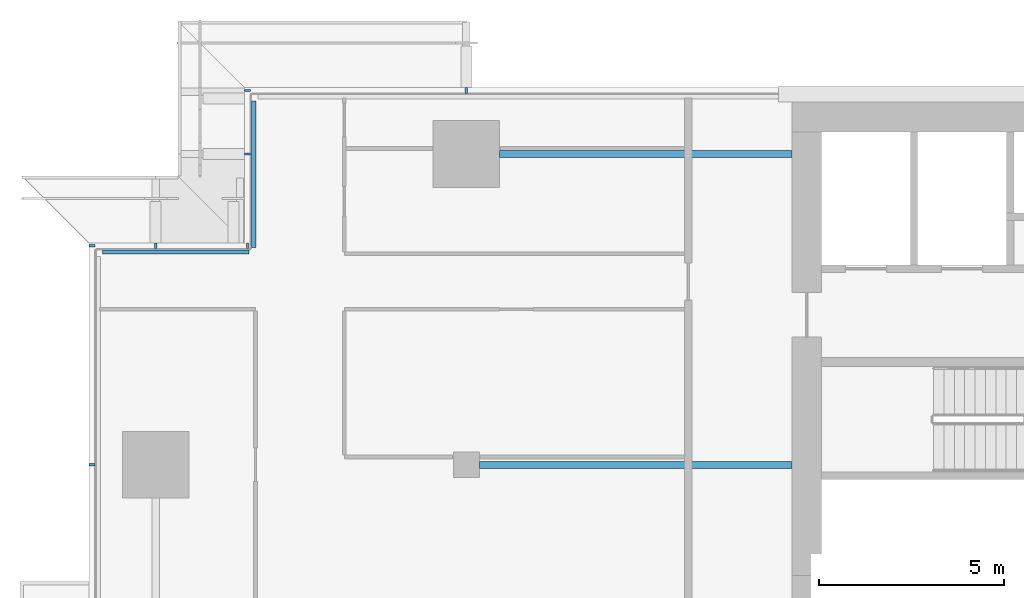
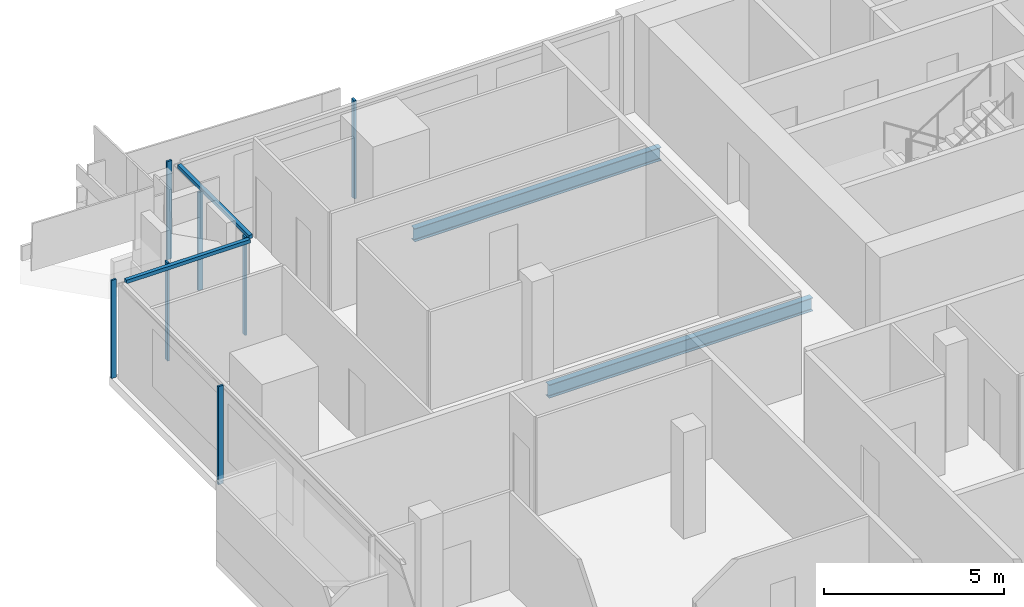
# One storey, part 8 of 30: 9 members, 2 beams, 4 elements without a shape of their own.
"""IFC4 building model written with IfcOpenShell, lengths in metres."""

from ifc_helpers import new_model, si_unit, direction, frame, origin, origin_2d, place, context, subcontext, project, spatial, rectangle, i_section, extrude, material, material_profile, profile_set, type_object, element, aggregate, save


model = new_model("IFC4")

# Units and contexts
model_context = context("Model", 3, precision=1e-05, world=origin(), true_north=direction((0.0, 1.0)))
body_context = subcontext(model_context, "Body", "Model", "MODEL_VIEW")
ifc_project = project(units=[si_unit("LENGTHUNIT", "METRE"), si_unit("AREAUNIT", "SQUARE_METRE"), si_unit("VOLUMEUNIT", "CUBIC_METRE"), si_unit("PLANEANGLEUNIT", "RADIAN"), si_unit("MASSUNIT", "GRAM", prefix="KILO")], contexts=[model_context])

# Site, building, storey
site_placement = place(None, origin())
site = spatial("IfcSite", under=ifc_project, at=site_placement, CompositionType="ELEMENT")
building_placement = place(site_placement, origin())
building = spatial("IfcBuilding", under=site, at=building_placement, Name="Saffron Gate Tower", CompositionType="ELEMENT")
storey_placement = place(building_placement, frame((0.0, 0.0, 158.25)))
storey = spatial("IfcBuildingStorey", under=building, at=storey_placement, Name="L38", CompositionType="ELEMENT", Elevation=158.25)

# Beams
ifc_material_1 = material(Name="Structural steel S355", Category="steel")
ifc_material_profile_1 = material_profile(ifc_material_1, i_section(OverallWidth=0.18994140625, OverallDepth=0.449951171875, WebThickness=0.009521484375, FlangeThickness=0.0146484375, FilletRadius=0.02099609375, at=origin_2d()))
ifc_profile_set_1 = profile_set([ifc_material_profile_1], Name="Structural steel S355")
beam_type = type_object("IfcBeamType", Name="B6 IPE 450", PredefinedType="BEAM", material=ifc_profile_set_1)
beam_1_placement = place(storey_placement, frame((58.550048828125, 65.39990234375, -0.5048828125), z_axis=(1.0, 0.0, 0.0), x_axis=(0.0, 1.0, 0.0)))
element("IfcBeam", 1, at=beam_1_placement, inside=storey, type_object=beam_type, Name="B6 CORE TIE BEAM", PredefinedType="BEAM", context=body_context, shape_type="SweptSolid", body=[
    extrude(i_section(OverallWidth=0.18994140625, OverallDepth=0.449951171875, WebThickness=0.009521484375, FlangeThickness=0.0146484375, FilletRadius=0.02099609375, at=origin_2d()), origin(), (0.0, 0.0, 1.0), 8.449951171875),
])
beam_2_placement = place(storey_placement, frame((59.10009765625, 73.800048828125, -0.5048828125), z_axis=(1.0, 0.0, 0.0), x_axis=(0.0, 1.0, 0.0)))
element("IfcBeam", 2, at=beam_2_placement, inside=storey, type_object=beam_type, Name="B6 CORE TIE BEAM", PredefinedType="BEAM", context=body_context, shape_type="SweptSolid", body=[
    extrude(i_section(OverallWidth=0.18994140625, OverallDepth=0.449951171875, WebThickness=0.009521484375, FlangeThickness=0.0146484375, FilletRadius=0.02099609375, at=origin_2d()), origin(), (0.0, 0.0, 1.0), 7.89990234375),
])

# Curtain wall, members
ifc_material_2 = material(Name="Aluminium, bronze anodised", Category="aluminium")
curtain_wall_type_1 = type_object("IfcCurtainWallType", Name="CWS2 curtain wall side facades", PredefinedType="NOTDEFINED", material=ifc_material_2)
curtain_wall_1_placement = place(storey_placement, origin())
curtain_wall_1 = element("IfcCurtainWall", 3, at=curtain_wall_1_placement, inside=storey, type_object=curtain_wall_type_1, Name="CWS2 run 10", PredefinedType="NOTDEFINED")
ifc_material_profile_2 = material_profile(ifc_material_2, rectangle(XDim=0.159912109375, YDim=0.06005859375, at=origin_2d()))
ifc_profile_set_2 = profile_set([ifc_material_profile_2], Name="Aluminium, bronze anodised")
member_type_1 = type_object("IfcMemberType", Name="CWS2 mullion 60x160", PredefinedType="MULLION", material=ifc_profile_set_2)
member_1_placement = place(storey_placement, frame((48.080078125, 71.320068359375, 0.0), z_axis=(0.0, 0.0, 1.0), x_axis=(1.0, 0.0, 0.0)))
member_1 = element("IfcMember", 4, at=member_1_placement, type_object=member_type_1, Name="CWS2 mullion 1", PredefinedType="MULLION", context=body_context, shape_type="SweptSolid", body=[
    extrude(rectangle(XDim=0.159912109375, YDim=0.06005859375, at=origin_2d()), origin(), (0.0, 0.0, 1.0), 3.320068359375),
])
member_2_placement = place(storey_placement, frame((48.080078125, 65.39990234375, 0.0), z_axis=(0.0, 0.0, 1.0), x_axis=(1.0, 0.0, 0.0)))
member_2 = element("IfcMember", 5, at=member_2_placement, type_object=member_type_1, Name="CWS2 mullion 2", PredefinedType="MULLION", context=body_context, shape_type="SweptSolid", body=[
    extrude(rectangle(XDim=0.159912109375, YDim=0.06005859375, at=origin_2d()), origin(), (0.0, 0.0, 1.0), 3.320068359375),
])
aggregate(curtain_wall_1, [member_1, member_2])

# Curtain wall, member
curtain_wall_type_2 = type_object("IfcCurtainWallType", Name="CWS3 curtain wall rear facade", PredefinedType="NOTDEFINED", material=ifc_material_2)
curtain_wall_2_placement = place(storey_placement, origin())
curtain_wall_2 = element("IfcCurtainWall", 6, at=curtain_wall_2_placement, inside=storey, type_object=curtain_wall_type_2, Name="CWS3 run 7", PredefinedType="NOTDEFINED")
ifc_material_profile_3 = material_profile(ifc_material_2, rectangle(XDim=0.159912109375, YDim=0.070068359375, at=origin_2d()))
ifc_profile_set_3 = profile_set([ifc_material_profile_3], Name="Aluminium, bronze anodised")
member_type_2 = type_object("IfcMemberType", Name="CWS3 mullion 70x160", PredefinedType="MULLION", material=ifc_profile_set_3)
member_3_placement = place(storey_placement, frame((58.199951171875, 75.52001953125, 0.0), z_axis=(0.0, 0.0, 1.0), x_axis=(0.0, -1.0, 0.0)))
member_3 = element("IfcMember", 7, at=member_3_placement, type_object=member_type_2, Name="CWS3 mullion 9", PredefinedType="MULLION", context=body_context, shape_type="SweptSolid", body=[
    extrude(rectangle(XDim=0.159912109375, YDim=0.070068359375, at=origin_2d()), origin(), (0.0, 0.0, 1.0), 3.320068359375),
])
aggregate(curtain_wall_2, [member_3])

curtain_wall_type_3 = type_object("IfcCurtainWallType", Name="CWS4 curtain wall corner returns", PredefinedType="NOTDEFINED", material=ifc_material_2)
curtain_wall_3_placement = place(storey_placement, origin())
curtain_wall_3 = element("IfcCurtainWall", 8, at=curtain_wall_3_placement, inside=storey, type_object=curtain_wall_type_3, Name="CWS4 run 8", PredefinedType="NOTDEFINED")
ifc_material_profile_4 = material_profile(ifc_material_2, rectangle(XDim=0.1201171875, YDim=0.1201171875, at=origin_2d()))
ifc_profile_set_4 = profile_set([ifc_material_profile_4], Name="Aluminium, bronze anodised")
member_type_3 = type_object("IfcMemberType", Name="CWS4 head transom", PredefinedType="USERDEFINED", material=ifc_profile_set_4)
member_4_placement = place(storey_placement, frame((52.447998046875, 75.23193359375, 3.260009765625), z_axis=(0.0, -1.0, 0.0), x_axis=(1.0, 0.0, 0.0)))
member_4 = element("IfcMember", 9, at=member_4_placement, type_object=member_type_3, Name="CWS4 head transom", ObjectType="TRANSOM", PredefinedType="USERDEFINED", context=body_context, shape_type="SweptSolid", body=[
    extrude(rectangle(XDim=0.1201171875, YDim=0.1201171875, at=origin_2d()), origin(), (0.0, 0.0, 1.0), 3.9599609375),
])

curtain_wall_4_placement = place(storey_placement, origin())
curtain_wall_4 = element("IfcCurtainWall", 10, at=curtain_wall_4_placement, inside=storey, type_object=curtain_wall_type_3, Name="CWS4 run 9", PredefinedType="NOTDEFINED")
member_5_placement = place(storey_placement, frame((52.327880859375, 71.152099609375, 3.260009765625), z_axis=(-1.0, 0.0, 0.0), x_axis=(0.0, -1.0, 0.0)))
member_5 = element("IfcMember", 11, at=member_5_placement, type_object=member_type_3, Name="CWS4 head transom", ObjectType="TRANSOM", PredefinedType="USERDEFINED", context=body_context, shape_type="SweptSolid", body=[
    extrude(rectangle(XDim=0.1201171875, YDim=0.1201171875, at=origin_2d()), origin(), (0.0, 0.0, 1.0), 3.9599609375),
])

# Member
ifc_material_profile_5 = material_profile(ifc_material_2, rectangle(XDim=0.159912109375, YDim=0.06005859375, at=origin_2d()))
ifc_profile_set_5 = profile_set([ifc_material_profile_5], Name="Aluminium, bronze anodised")
member_type_4 = type_object("IfcMemberType", Name="CWS4 mullion 60x160", PredefinedType="MULLION", material=ifc_profile_set_5)
member_6_placement = place(storey_placement, frame((52.280029296875, 75.52001953125, 0.0), z_axis=(0.0, 0.0, 1.0), x_axis=(1.0, 0.0, 0.0)))
member_6 = element("IfcMember", 12, at=member_6_placement, type_object=member_type_4, Name="CWS4 mullion 1", PredefinedType="MULLION", context=body_context, shape_type="SweptSolid", body=[
    extrude(rectangle(XDim=0.159912109375, YDim=0.06005859375, at=origin_2d()), origin(), (0.0, 0.0, 1.0), 3.320068359375),
])

member_7_placement = place(storey_placement, frame((52.280029296875, 73.800048828125, 0.0), z_axis=(0.0, 0.0, 1.0), x_axis=(1.0, 0.0, 0.0)))
member_7 = element("IfcMember", 13, at=member_7_placement, type_object=member_type_4, Name="CWS4 mullion 2", PredefinedType="MULLION", context=body_context, shape_type="SweptSolid", body=[
    extrude(rectangle(XDim=0.159912109375, YDim=0.06005859375, at=origin_2d()), origin(), (0.0, 0.0, 1.0), 3.320068359375),
])

aggregate(curtain_wall_3, [member_6, member_7, member_4])

member_8_placement = place(storey_placement, frame((52.280029296875, 71.320068359375, 0.0), z_axis=(0.0, 0.0, 1.0), x_axis=(0.0, -1.0, 0.0)))
member_8 = element("IfcMember", 14, at=member_8_placement, type_object=member_type_4, Name="CWS4 mullion 1", PredefinedType="MULLION", context=body_context, shape_type="SweptSolid", body=[
    extrude(rectangle(XDim=0.159912109375, YDim=0.06005859375, at=origin_2d()), origin(), (0.0, 0.0, 1.0), 3.320068359375),
])

member_9_placement = place(storey_placement, frame((49.800048828125, 71.320068359375, 0.0), z_axis=(0.0, 0.0, 1.0), x_axis=(0.0, -1.0, 0.0)))
member_9 = element("IfcMember", 15, at=member_9_placement, type_object=member_type_4, Name="CWS4 mullion 2", PredefinedType="MULLION", context=body_context, shape_type="SweptSolid", body=[
    extrude(rectangle(XDim=0.159912109375, YDim=0.06005859375, at=origin_2d()), origin(), (0.0, 0.0, 1.0), 3.320068359375),
])

aggregate(curtain_wall_4, [member_8, member_9, member_5])

save(model, "model.ifc")
